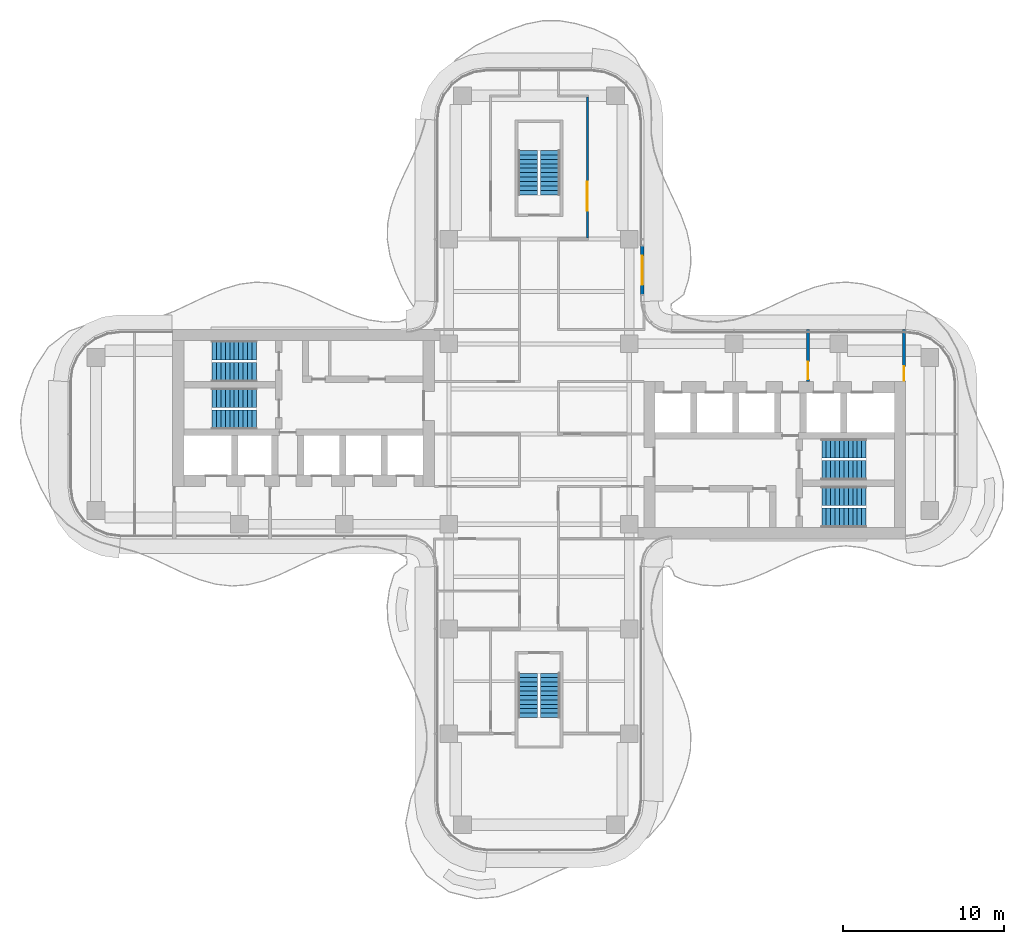
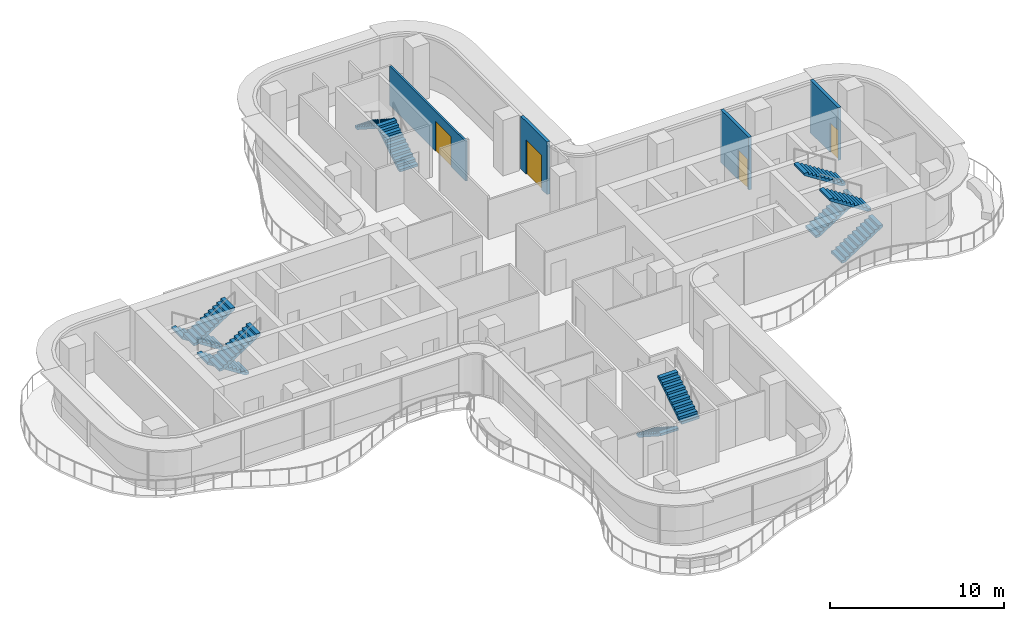
# One storey, part 17 of 19: 12 stair flights, 4 doors, 4 walls, 4 openings, 6 elements without a shape of their own.
"""IFC4 building model written with IfcOpenShell, lengths in metres."""

from ifc_helpers import new_model, si_unit, direction, frame, frame_2d, origin, place, context, subcontext, project, spatial, polyline, rectangle, outline, extrude, source, transform, mapped, material, layer, layer_set, type_object, element, fill, aggregate, save


model = new_model("IFC4")

# Units and contexts
model_context = context("Model", 3, precision=1e-05, world=origin(), true_north=direction((0.0, 1.0)))
body_context = subcontext(model_context, "Body", "Model", "MODEL_VIEW")
ifc_project = project(units=[si_unit("LENGTHUNIT", "METRE"), si_unit("AREAUNIT", "SQUARE_METRE"), si_unit("VOLUMEUNIT", "CUBIC_METRE"), si_unit("PLANEANGLEUNIT", "RADIAN"), si_unit("MASSUNIT", "GRAM", prefix="KILO")], contexts=[model_context])

# Site, building, storey
site_placement = place(None, origin())
site = spatial("IfcSite", under=ifc_project, at=site_placement, CompositionType="ELEMENT")
building_placement = place(site_placement, origin())
building = spatial("IfcBuilding", under=site, at=building_placement, Name="Trellis Farm Tower", CompositionType="ELEMENT")
storey_placement = place(building_placement, frame((0.0, 0.0, 228.5)))
storey = spatial("IfcBuildingStorey", under=building, at=storey_placement, Name="L50", CompositionType="ELEMENT", Elevation=228.5)

# Wall, opening, door
ifc_material_1 = material(Name="Masonry blockwork", Category="masonry")
ifc_layer_1 = layer(ifc_material_1, 0.199951171875)
ifc_layer_set_1 = layer_set([ifc_layer_1], Name="FIRE LOBBY PARTITION 200 BLOCKWORK")
wall_type_1 = type_object("IfcWallType", Name="FIRE LOBBY PARTITION 200 BLOCKWORK", PredefinedType="PARTITIONING", material=ifc_layer_set_1)
shared_shape_1 = source(origin(), body_context, "Body", "SweptSolid", [
    extrude(rectangle(XDim=3.25, YDim=0.199951171875, at=frame_2d((1.625, 0.0))), origin(), (0.0, 0.0, 1.0), 3.699951171875),
])
wall_1_placement = place(storey_placement, frame((16.699951171875, 3.25, 0.0), z_axis=(0.0, 0.0, 1.0), x_axis=(0.0, 1.0, 0.0)))
wall_1 = element("IfcWall", 1, at=wall_1_placement, inside=storey, type_object=wall_type_1, Name="Fire-fighting lobby partition", PredefinedType="PARTITIONING", context=body_context, shape_type="MappedRepresentation", body=[
    mapped(shared_shape_1, transform((0.0, 0.0, 0.0))),
])
shared_shape_2 = source(origin(), body_context, "Body", "SweptSolid", [
    extrude(rectangle(XDim=1.10009765625, YDim=2.10009765625, at=frame_2d((0.550048828125, 1.050048828125))), frame((0.0, 0.110107421875, 0.0), z_axis=(0.0, -1.0, 0.0), x_axis=(1.0, 0.0, 0.0)), (0.0, 0.0, 1.0), 0.22021484375),
])
opening_1_placement = place(wall_1_placement, frame((0.14990234375, 0.0, 0.0)))
opening_1 = element("IfcOpeningElement", 2, at=opening_1_placement, cuts=wall_1, Name="Opening DC7", PredefinedType="OPENING", context=body_context, shape_type="MappedRepresentation", body=[
    mapped(shared_shape_2, transform((0.0, 0.0, 0.0))),
])
ifc_material_2 = material(Name="Steel", Category="steel")
door_type_1 = type_object("IfcDoorType", Name="CORE FIRE DOOR 1100 X 2100", OperationType="NOTDEFINED", PredefinedType="DOOR", material=ifc_material_2)
shared_shape_3 = source(origin(), body_context, "Body", "SweptSolid", [
    extrude(rectangle(XDim=1.10009765625, YDim=2.10009765625, at=frame_2d((0.550048828125, 1.050048828125))), frame((0.0, 0.02490234375, 0.0), z_axis=(0.0, -1.0, 0.0), x_axis=(1.0, 0.0, 0.0)), (0.0, 0.0, 1.0), 0.050048828125),
])
door_1_placement = place(opening_1_placement, origin())
door_1 = element("IfcDoor", 3, at=door_1_placement, inside=storey, type_object=door_type_1, Name="Core door", OperationType="SINGLE_SWING_RIGHT", OverallHeight=2.10009765625, OverallWidth=1.10009765625, PredefinedType="DOOR", context=body_context, shape_type="MappedRepresentation", body=[
    mapped(shared_shape_3, transform((0.0, 0.0, 0.0))),
])
fill(opening_1, door_1)

wall_2_placement = place(storey_placement, frame((22.64990234375, 3.25, 0.0), z_axis=(0.0, 0.0, 1.0), x_axis=(0.0, 1.0, 0.0)))
wall_2 = element("IfcWall", 4, at=wall_2_placement, inside=storey, type_object=wall_type_1, Name="Fire-fighting lobby partition", PredefinedType="PARTITIONING", context=body_context, shape_type="MappedRepresentation", body=[
    mapped(shared_shape_1, transform((0.0, 0.0, 0.0))),
])
shared_shape_4 = source(origin(), body_context, "Body", "SweptSolid", [
    extrude(rectangle(XDim=0.89990234375, YDim=2.10009765625, at=frame_2d((0.449951171875, 1.050048828125))), frame((0.0, 0.110107421875, 0.0), z_axis=(0.0, -1.0, 0.0), x_axis=(1.0, 0.0, 0.0)), (0.0, 0.0, 1.0), 0.22021484375),
])
opening_2_placement = place(wall_2_placement, frame((0.050048828125, 0.0, 0.0)))
opening_2 = element("IfcOpeningElement", 5, at=opening_2_placement, cuts=wall_2, Name="Opening DC8", PredefinedType="OPENING", context=body_context, shape_type="MappedRepresentation", body=[
    mapped(shared_shape_4, transform((0.0, 0.0, 0.0))),
])
door_type_2 = type_object("IfcDoorType", Name="CORE FIRE DOOR 900 X 2100", OperationType="NOTDEFINED", PredefinedType="DOOR", material=ifc_material_2)
shared_shape_5 = source(origin(), body_context, "Body", "SweptSolid", [
    extrude(rectangle(XDim=0.89990234375, YDim=2.10009765625, at=frame_2d((0.449951171875, 1.050048828125))), frame((0.0, 0.02490234375, 0.0), z_axis=(0.0, -1.0, 0.0), x_axis=(1.0, 0.0, 0.0)), (0.0, 0.0, 1.0), 0.050048828125),
])
door_2_placement = place(opening_2_placement, origin())
door_2 = element("IfcDoor", 6, at=door_2_placement, inside=storey, type_object=door_type_2, Name="Core door", OperationType="SINGLE_SWING_RIGHT", OverallHeight=2.10009765625, OverallWidth=0.89990234375, PredefinedType="DOOR", context=body_context, shape_type="MappedRepresentation", body=[
    mapped(shared_shape_5, transform((0.0, 0.0, 0.0))),
])
fill(opening_2, door_2)

ifc_material_3 = material(Name="Sandstone faced insulated wall", Category="masonry")
ifc_layer_2 = layer(ifc_material_3, 0.199951171875)
ifc_layer_set_2 = layer_set([ifc_layer_2], Name="EXTERNAL INFILL WALL 200")
wall_type_2 = type_object("IfcWallType", Name="EXTERNAL INFILL WALL 200", PredefinedType="SOLIDWALL", material=ifc_layer_set_2)
shared_shape_6 = source(origin(), body_context, "Body", "SweptSolid", [
    extrude(rectangle(XDim=3.0, YDim=0.199951171875, at=frame_2d((1.5, 0.0))), origin(), (0.0, 0.0, 1.0), 3.699951171875),
])
wall_3_placement = place(storey_placement, frame((6.39990234375, 8.665771484375, 0.0), z_axis=(0.0, 0.0, 1.0), x_axis=(0.0, 1.0, 0.0)))
wall_3 = element("IfcWall", 7, at=wall_3_placement, inside=storey, type_object=wall_type_2, Name="EW1 01", PredefinedType="SOLIDWALL", context=body_context, shape_type="MappedRepresentation", body=[
    mapped(shared_shape_6, transform((0.0, 0.0, 0.0))),
])
shared_shape_7 = source(origin(), body_context, "Body", "SweptSolid", [
    extrude(rectangle(XDim=1.800048828125, YDim=2.39990234375, at=frame_2d((0.89990234375, 1.199951171875))), frame((0.0, 0.110107421875, 0.0), z_axis=(0.0, -1.0, 0.0), x_axis=(1.0, 0.0, 0.0)), (0.0, 0.0, 1.0), 0.22021484375),
])
opening_3_placement = place(wall_3_placement, frame((0.60009765625, 0.0, 0.0)))
opening_3 = element("IfcOpeningElement", 8, at=opening_3_placement, cuts=wall_3, Name="Opening ED1", PredefinedType="OPENING", context=body_context, shape_type="MappedRepresentation", body=[
    mapped(shared_shape_7, transform((0.0, 0.0, 0.0))),
])
ifc_material_4 = material(Name="Aluminium framed glazed door", Category="aluminium")
door_type_3 = type_object("IfcDoorType", Name="BALCONY DOOR 1800x2400", OperationType="DOUBLE_DOOR_SINGLE_SWING", PredefinedType="DOOR", material=ifc_material_4)
shared_shape_8 = source(origin(), body_context, "Body", "SweptSolid", [
    extrude(rectangle(XDim=1.800048828125, YDim=2.39990234375, at=frame_2d((0.89990234375, 1.199951171875))), frame((0.0, 0.02490234375, 0.0), z_axis=(0.0, -1.0, 0.0), x_axis=(1.0, 0.0, 0.0)), (0.0, 0.0, 1.0), 0.050048828125),
])
door_3_placement = place(opening_3_placement, origin())
door_3 = element("IfcDoor", 9, at=door_3_placement, inside=storey, type_object=door_type_3, Name="Balcony door", OperationType="DOUBLE_DOOR_SINGLE_SWING", OverallHeight=2.39990234375, OverallWidth=1.800048828125, PredefinedType="DOOR", context=body_context, shape_type="MappedRepresentation", body=[
    mapped(shared_shape_8, transform((0.0, 0.0, 0.0))),
])
fill(opening_3, door_3)

ifc_material_5 = material(Name="Plasterboard on steel studs, mineral wool", Category="steel")
ifc_layer_3 = layer(ifc_material_5, 0.125)
ifc_layer_set_3 = layer_set([ifc_layer_3], Name="PARTITION 125 STUD EI 60")
wall_type_3 = type_object("IfcWallType", Name="PARTITION 125 STUD EI 60", PredefinedType="PARTITIONING", material=ifc_layer_set_3)
shared_shape_9 = source(origin(), body_context, "Body", "SweptSolid", [
    extrude(rectangle(XDim=8.77490234375, YDim=0.125, at=frame_2d((4.387451171875, 0.0))), origin(), (0.0, 0.0, 1.0), 2.780029296875),
])
wall_4_placement = place(storey_placement, frame((3.0, 20.9375, 0.0), z_axis=(0.0, 0.0, 1.0), x_axis=(0.0, -1.0, 0.0)))
wall_4 = element("IfcWall", 10, at=wall_4_placement, inside=storey, type_object=wall_type_3, Name="Partition PW1", PredefinedType="PARTITIONING", context=body_context, shape_type="MappedRepresentation", body=[
    mapped(shared_shape_9, transform((0.0, 0.0, 0.0))),
])
shared_shape_10 = source(origin(), body_context, "Body", "SweptSolid", [
    extrude(rectangle(XDim=1.800048828125, YDim=2.10009765625, at=frame_2d((0.89990234375, 1.050048828125))), frame((0.0, 0.072509765625, 0.0), z_axis=(0.0, -1.0, 0.0), x_axis=(1.0, 0.0, 0.0)), (0.0, 0.0, 1.0), 0.14501953125),
])
opening_4_placement = place(wall_4_placement, frame((5.28759765625, 0.0, 0.0)))
opening_4 = element("IfcOpeningElement", 11, at=opening_4_placement, cuts=wall_4, Name="Opening D203", PredefinedType="OPENING", context=body_context, shape_type="MappedRepresentation", body=[
    mapped(shared_shape_10, transform((0.0, 0.0, 0.0))),
])
ifc_material_6 = material(Name="Fire-rated timber door leaf in a hollow metal frame", Category="wood")
door_type_4 = type_object("IfcDoorType", Name="DOOR PAIR 1800x2100 FD30S", OperationType="NOTDEFINED", PredefinedType="DOOR", material=ifc_material_6)
shared_shape_11 = source(origin(), body_context, "Body", "SweptSolid", [
    extrude(rectangle(XDim=1.800048828125, YDim=2.10009765625, at=frame_2d((0.89990234375, 1.050048828125))), frame((0.0, 0.02490234375, 0.0), z_axis=(0.0, -1.0, 0.0), x_axis=(1.0, 0.0, 0.0)), (0.0, 0.0, 1.0), 0.050048828125),
])
door_4_placement = place(opening_4_placement, origin())
door_4 = element("IfcDoor", 12, at=door_4_placement, inside=storey, type_object=door_type_4, Name="Door D203", OperationType="DOUBLE_DOOR_SINGLE_SWING", OverallHeight=2.10009765625, OverallWidth=1.800048828125, PredefinedType="DOOR", context=body_context, shape_type="MappedRepresentation", body=[
    mapped(shared_shape_11, transform((0.0, 0.0, 0.0))),
])
fill(opening_4, door_4)

# Stair, stair flights
ifc_material_7 = material(Name="Concrete C50/60", Category="concrete")
stair_type = type_object("IfcStairType", Name="CORE EXIT STAIR 22 RISERS 177 MM", PredefinedType="HALF_TURN_STAIR", material=ifc_material_7)
placement = place(storey_placement, origin())
stair_1 = element("IfcStair", 13, at=placement, inside=storey, type_object=stair_type, Name="Exit stair N", PredefinedType="HALF_TURN_STAIR")
stair_flight_type = type_object("IfcStairFlightType", Name="STAIR FLIGHT 11 RISERS 177 MM", PredefinedType="STRAIGHT", material=ifc_material_7)
shared_shape_12 = source(origin(), body_context, "Body", "SweptSolid", [
    extrude(outline(polyline([(0.0, 0.0), (0.0, 0.17724609375), (0.27490234375, 0.17724609375), (0.27490234375, 0.3544921875), (0.550048828125, 0.3544921875), (0.550048828125, 0.53173828125), (0.824951171875, 0.53173828125), (0.824951171875, 0.708984375), (1.10009765625, 0.708984375), (1.10009765625, 0.886474609375), (1.375, 0.886474609375), (1.375, 1.063720703125), (1.64990234375, 1.063720703125), (1.64990234375, 1.240966796875), (1.925048828125, 1.240966796875), (1.925048828125, 1.418212890625), (2.199951171875, 1.418212890625), (2.199951171875, 1.595458984375), (2.47509765625, 1.595458984375), (2.47509765625, 1.772705078125), (2.75, 1.772705078125), (2.75, 1.949951171875), (2.75, 1.6181640625), (0.23974609375, 0.0), (0.0, 0.0)])), frame((0.0, 0.60009765625, 0.0), z_axis=(0.0, -1.0, 0.0), x_axis=(1.0, 0.0, 0.0)), (0.0, 0.0, 1.0), 1.199951171875),
])
stair_flight_1_placement = place(storey_placement, frame((0.699951171875, 14.85009765625, 0.0), z_axis=(0.0, 0.0, 1.0), x_axis=(0.0, 1.0, 0.0)))
stair_flight_1 = element("IfcStairFlight", 14, at=stair_flight_1_placement, type_object=stair_flight_type, Name="STN flight 1", NumberOfRisers=11, NumberOfTreads=10, PredefinedType="STRAIGHT", RiserHeight=0.177272727, TreadLength=0.275, context=body_context, shape_type="MappedRepresentation", body=[
    mapped(shared_shape_12, transform((0.0, 0.0, 0.0))),
])
stair_flight_2_placement = place(storey_placement, frame((-0.699951171875, 17.60009765625, 1.949951171875), z_axis=(0.0, 0.0, 1.0), x_axis=(0.0, -1.0, 0.0)))
stair_flight_2 = element("IfcStairFlight", 15, at=stair_flight_2_placement, type_object=stair_flight_type, Name="STN flight 2", NumberOfRisers=11, NumberOfTreads=10, PredefinedType="STRAIGHT", RiserHeight=0.177272727, TreadLength=0.275, context=body_context, shape_type="MappedRepresentation", body=[
    mapped(shared_shape_12, transform((0.0, 0.0, 0.0))),
])
aggregate(stair_1, [stair_flight_1, stair_flight_2])

stair_2 = element("IfcStair", 16, at=placement, inside=storey, type_object=stair_type, Name="Exit stair S", PredefinedType="HALF_TURN_STAIR")
stair_flight_3_placement = place(storey_placement, frame((-0.699951171875, -14.85009765625, 0.0), z_axis=(0.0, 0.0, 1.0), x_axis=(0.0, -1.0, 0.0)))
stair_flight_3 = element("IfcStairFlight", 17, at=stair_flight_3_placement, type_object=stair_flight_type, Name="STS flight 1", NumberOfRisers=11, NumberOfTreads=10, PredefinedType="STRAIGHT", RiserHeight=0.177272727, TreadLength=0.275, context=body_context, shape_type="MappedRepresentation", body=[
    mapped(shared_shape_12, transform((0.0, 0.0, 0.0))),
])
stair_flight_4_placement = place(storey_placement, frame((0.699951171875, -17.60009765625, 1.949951171875), z_axis=(0.0, 0.0, 1.0), x_axis=(0.0, 1.0, 0.0)))
stair_flight_4 = element("IfcStairFlight", 18, at=stair_flight_4_placement, type_object=stair_flight_type, Name="STS flight 2", NumberOfRisers=11, NumberOfTreads=10, PredefinedType="STRAIGHT", RiserHeight=0.177272727, TreadLength=0.275, context=body_context, shape_type="MappedRepresentation", body=[
    mapped(shared_shape_12, transform((0.0, 0.0, 0.0))),
])
aggregate(stair_2, [stair_flight_3, stair_flight_4])

stair_3 = element("IfcStair", 19, at=placement, inside=storey, type_object=stair_type, Name="Exit stair E1", PredefinedType="HALF_TURN_STAIR")
stair_flight_5_placement = place(storey_placement, frame((17.550048828125, -5.199951171875, 0.0), z_axis=(0.0, 0.0, 1.0), x_axis=(1.0, 0.0, 0.0)))
stair_flight_5 = element("IfcStairFlight", 20, at=stair_flight_5_placement, type_object=stair_flight_type, Name="STE1 flight 1", NumberOfRisers=11, NumberOfTreads=10, PredefinedType="STRAIGHT", RiserHeight=0.177272727, TreadLength=0.275, context=body_context, shape_type="MappedRepresentation", body=[
    mapped(shared_shape_12, transform((0.0, 0.0, 0.0))),
])
stair_flight_6_placement = place(storey_placement, frame((20.300048828125, -3.85009765625, 1.949951171875), z_axis=(0.0, 0.0, 1.0), x_axis=(-1.0, 0.0, 0.0)))
stair_flight_6 = element("IfcStairFlight", 21, at=stair_flight_6_placement, type_object=stair_flight_type, Name="STE1 flight 2", NumberOfRisers=11, NumberOfTreads=10, PredefinedType="STRAIGHT", RiserHeight=0.177272727, TreadLength=0.275, context=body_context, shape_type="MappedRepresentation", body=[
    mapped(shared_shape_12, transform((0.0, 0.0, 0.0))),
])
aggregate(stair_3, [stair_flight_5, stair_flight_6])

stair_4 = element("IfcStair", 22, at=placement, inside=storey, type_object=stair_type, Name="Exit stair E2", PredefinedType="HALF_TURN_STAIR")
stair_flight_7_placement = place(storey_placement, frame((17.550048828125, -2.25, 0.0), z_axis=(0.0, 0.0, 1.0), x_axis=(1.0, 0.0, 0.0)))
stair_flight_7 = element("IfcStairFlight", 23, at=stair_flight_7_placement, type_object=stair_flight_type, Name="STE2 flight 1", NumberOfRisers=11, NumberOfTreads=10, PredefinedType="STRAIGHT", RiserHeight=0.177272727, TreadLength=0.275, context=body_context, shape_type="MappedRepresentation", body=[
    mapped(shared_shape_12, transform((0.0, 0.0, 0.0))),
])
stair_flight_8_placement = place(storey_placement, frame((20.300048828125, -0.89990234375, 1.949951171875), z_axis=(0.0, 0.0, 1.0), x_axis=(-1.0, 0.0, 0.0)))
stair_flight_8 = element("IfcStairFlight", 24, at=stair_flight_8_placement, type_object=stair_flight_type, Name="STE2 flight 2", NumberOfRisers=11, NumberOfTreads=10, PredefinedType="STRAIGHT", RiserHeight=0.177272727, TreadLength=0.275, context=body_context, shape_type="MappedRepresentation", body=[
    mapped(shared_shape_12, transform((0.0, 0.0, 0.0))),
])
aggregate(stair_4, [stair_flight_7, stair_flight_8])

stair_5 = element("IfcStair", 25, at=placement, inside=storey, type_object=stair_type, Name="Exit stair W1", PredefinedType="HALF_TURN_STAIR")
stair_flight_9_placement = place(storey_placement, frame((-17.550048828125, 5.199951171875, 0.0), z_axis=(0.0, 0.0, 1.0), x_axis=(-1.0, 0.0, 0.0)))
stair_flight_9 = element("IfcStairFlight", 26, at=stair_flight_9_placement, type_object=stair_flight_type, Name="STW1 flight 1", NumberOfRisers=11, NumberOfTreads=10, PredefinedType="STRAIGHT", RiserHeight=0.177272727, TreadLength=0.275, context=body_context, shape_type="MappedRepresentation", body=[
    mapped(shared_shape_12, transform((0.0, 0.0, 0.0))),
])
stair_flight_10_placement = place(storey_placement, frame((-20.300048828125, 3.85009765625, 1.949951171875), z_axis=(0.0, 0.0, 1.0), x_axis=(1.0, 0.0, 0.0)))
stair_flight_10 = element("IfcStairFlight", 27, at=stair_flight_10_placement, type_object=stair_flight_type, Name="STW1 flight 2", NumberOfRisers=11, NumberOfTreads=10, PredefinedType="STRAIGHT", RiserHeight=0.177272727, TreadLength=0.275, context=body_context, shape_type="MappedRepresentation", body=[
    mapped(shared_shape_12, transform((0.0, 0.0, 0.0))),
])
aggregate(stair_5, [stair_flight_9, stair_flight_10])

stair_6 = element("IfcStair", 28, at=placement, inside=storey, type_object=stair_type, Name="Exit stair W2", PredefinedType="HALF_TURN_STAIR")
stair_flight_11_placement = place(storey_placement, frame((-17.550048828125, 2.25, 0.0), z_axis=(0.0, 0.0, 1.0), x_axis=(-1.0, 0.0, 0.0)))
stair_flight_11 = element("IfcStairFlight", 29, at=stair_flight_11_placement, type_object=stair_flight_type, Name="STW2 flight 1", NumberOfRisers=11, NumberOfTreads=10, PredefinedType="STRAIGHT", RiserHeight=0.177272727, TreadLength=0.275, context=body_context, shape_type="MappedRepresentation", body=[
    mapped(shared_shape_12, transform((0.0, 0.0, 0.0))),
])
stair_flight_12_placement = place(storey_placement, frame((-20.300048828125, 0.89990234375, 1.949951171875), z_axis=(0.0, 0.0, 1.0), x_axis=(1.0, 0.0, 0.0)))
stair_flight_12 = element("IfcStairFlight", 30, at=stair_flight_12_placement, type_object=stair_flight_type, Name="STW2 flight 2", NumberOfRisers=11, NumberOfTreads=10, PredefinedType="STRAIGHT", RiserHeight=0.177272727, TreadLength=0.275, context=body_context, shape_type="MappedRepresentation", body=[
    mapped(shared_shape_12, transform((0.0, 0.0, 0.0))),
])
aggregate(stair_6, [stair_flight_11, stair_flight_12])

save(model, "model.ifc")
